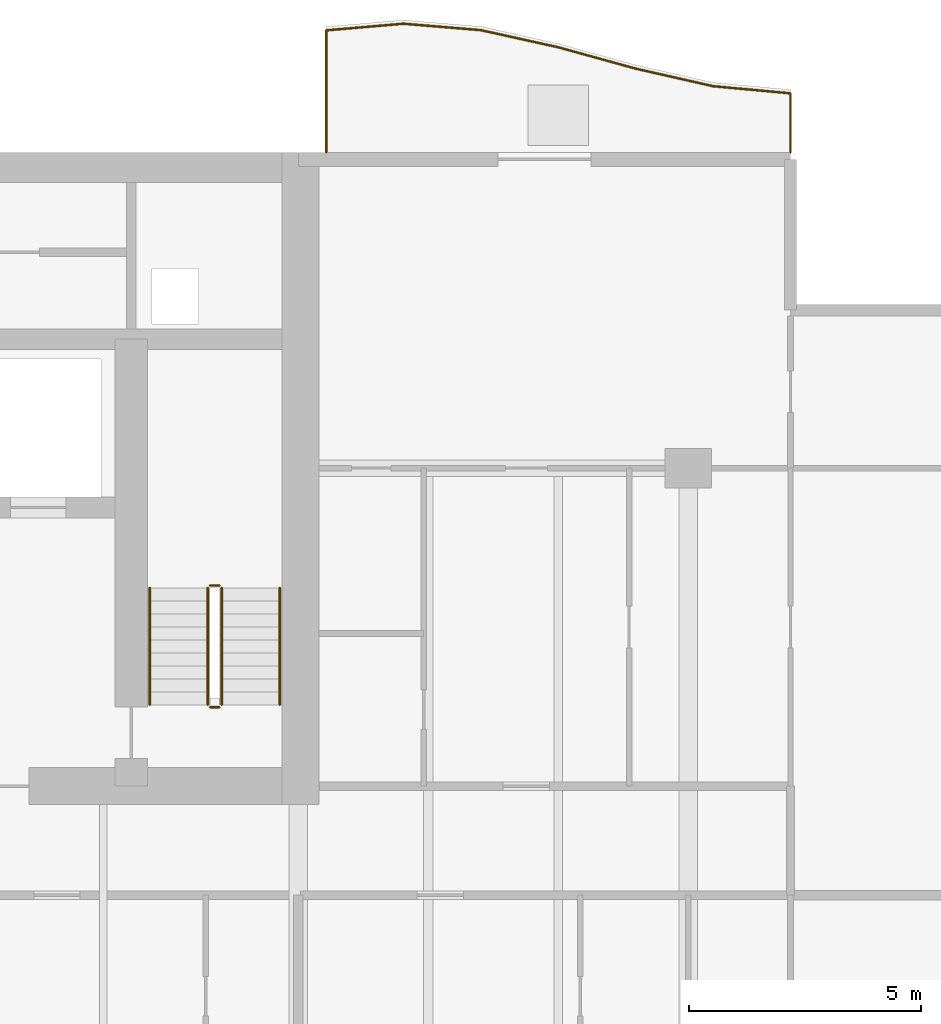
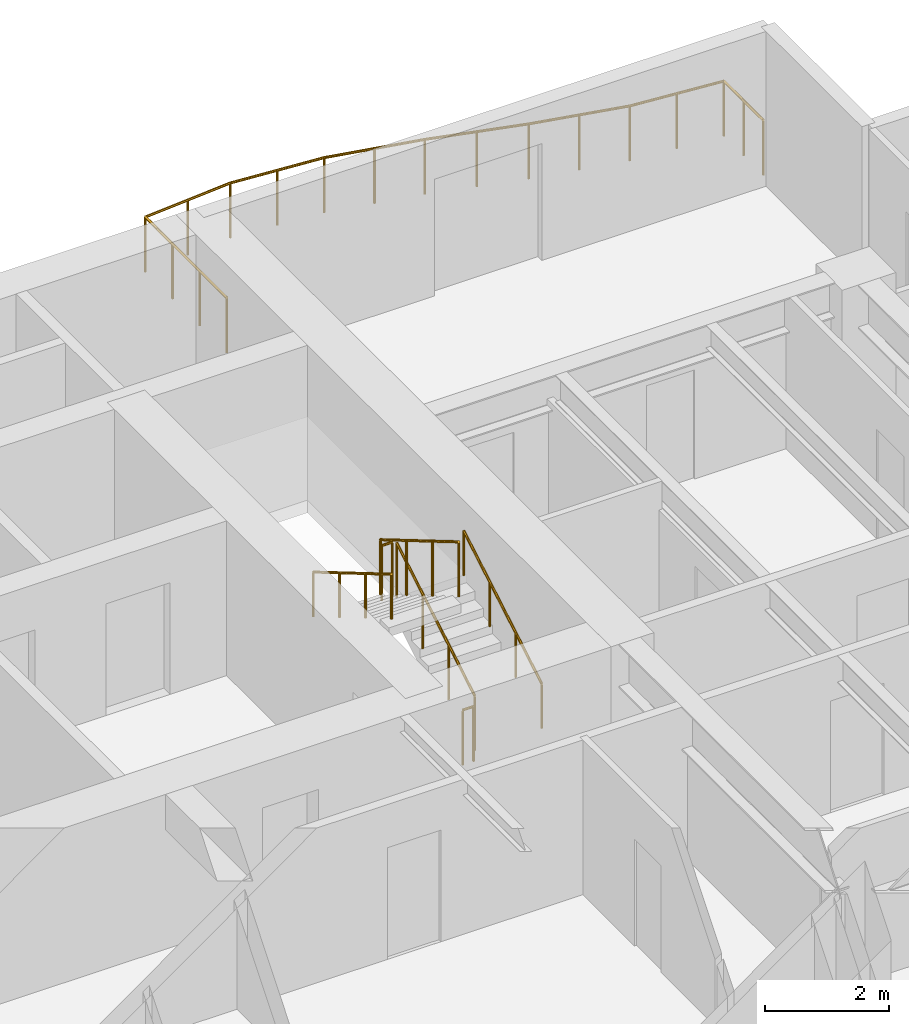
# One storey, part 16 of 17: 7 railings.
"""IFC4 building model written with IfcOpenShell, lengths in metres."""

from ifc_helpers import new_model, si_unit, direction, frame, origin, origin_2d, place, context, subcontext, project, spatial, circle, extrude, material, type_object, element, save


model = new_model("IFC4")

# Units and contexts
model_context = context("Model", 3, precision=1e-05, world=origin(), true_north=direction((0.0, 1.0)))
body_context = subcontext(model_context, "Body", "Model", "MODEL_VIEW")
ifc_project = project(units=[si_unit("LENGTHUNIT", "METRE"), si_unit("AREAUNIT", "SQUARE_METRE"), si_unit("VOLUMEUNIT", "CUBIC_METRE"), si_unit("PLANEANGLEUNIT", "RADIAN"), si_unit("MASSUNIT", "GRAM", prefix="KILO")], contexts=[model_context])

# Site, building, storey
site_placement = place(None, origin())
site = spatial("IfcSite", under=ifc_project, at=site_placement, CompositionType="ELEMENT")
building_placement = place(site_placement, origin())
building = spatial("IfcBuilding", under=site, at=building_placement, Name="Caelmar Bay Residences", CompositionType="ELEMENT")
storey_placement = place(building_placement, frame((0.0, 0.0, 105.89990234375)))
storey = spatial("IfcBuildingStorey", under=building, at=storey_placement, Name="L28", CompositionType="ELEMENT", Elevation=105.89990234375)

# Railings
ifc_material_1 = material(Name="Anodised bronze handrail with laminated hurricane glass infill", Category="glass")
railing_type_1 = type_object("IfcRailingType", Name="RL-BAL-1100", PredefinedType="BALUSTRADE", material=ifc_material_1)
railing_1_placement = place(storey_placement, frame((70.10009765625, 50.60009765625, 0.0)))
element("IfcRailing", 1, at=railing_1_placement, inside=storey, type_object=railing_type_1, Name="L28 north_east Balcony Balustrade", PredefinedType="BALUSTRADE", context=body_context, shape_type="SweptSolid", body=[
    extrude(circle(Radius=0.02392578125, at=origin_2d()), frame((0.0, 0.0, 1.076171875), z_axis=(0.0, 1.0, 0.0), x_axis=(-1.0, 0.0, 0.0)), (0.0, 0.0, 1.0), 1.270263671875),
    extrude(circle(Radius=0.02392578125, at=origin_2d()), frame((0.0, 1.270263671875, 1.076171875), z_axis=(-0.995755786783, 0.092034847145, 0.0), x_axis=(-0.092034847145, -0.995755786783, 0.0)), (0.0, 0.0, 1.0), 1.673828125),
    extrude(circle(Radius=0.02392578125, at=origin_2d()), frame((-1.666748046875, 1.42431640625, 1.076171875), z_axis=(-0.975212775078, 0.221269164874, 0.0), x_axis=(-0.221269164874, -0.975212775078, 0.0)), (0.0, 0.0, 1.0), 1.709228515625),
    extrude(circle(Radius=0.02392578125, at=origin_2d()), frame((-3.33349609375, 1.802490234375, 1.076171875), z_axis=(-0.963993866583, 0.265924472718, 0.0), x_axis=(-0.265924472718, -0.963993866583, 0.0)), (0.0, 0.0, 1.0), 1.728759765625),
    extrude(circle(Radius=0.02392578125, at=origin_2d()), frame((-5.0, 2.26220703125, 1.076171875), z_axis=(-0.97637178472, 0.216097519659, 0.0), x_axis=(-0.216097519659, -0.97637178472, 0.0)), (0.0, 0.0, 1.0), 1.70703125),
    extrude(circle(Radius=0.02392578125, at=origin_2d()), frame((-6.666748046875, 2.631103515625, 1.076171875), z_axis=(-0.996544751474, 0.083057560215, 0.0), x_axis=(-0.083057560215, -0.996544751474, 0.0)), (0.0, 0.0, 1.0), 1.672607421875),
    extrude(circle(Radius=0.02392578125, at=origin_2d()), frame((-8.33349609375, 2.77001953125, 1.076171875), z_axis=(-0.996322835752, -0.085678509315, 0.0), x_axis=(0.085678509315, -0.996322835752, 0.0)), (0.0, 0.0, 1.0), 1.672607421875),
    extrude(circle(Radius=0.02392578125, at=origin_2d()), frame((-10.0, 2.626708984375, 1.076171875), z_axis=(0.0, -1.0, 0.0), x_axis=(1.0, 0.0, 0.0)), (0.0, 0.0, 1.0), 2.626708984375),
    extrude(circle(Radius=0.02099609375, at=origin_2d()), origin(), (0.0, 0.0, 1.0), 1.052001953125),
    extrude(circle(Radius=0.02099609375, at=origin_2d()), frame((0.0, 0.63525390625, 0.0)), (0.0, 0.0, 1.0), 1.052001953125),
    extrude(circle(Radius=0.02099609375, at=origin_2d()), frame((0.0, 1.270263671875, 0.0)), (0.0, 0.0, 1.0), 1.052001953125),
    extrude(circle(Radius=0.02099609375, at=origin_2d()), frame((-0.83349609375, 1.34716796875, 0.0)), (0.0, 0.0, 1.0), 1.052001953125),
    extrude(circle(Radius=0.02099609375, at=origin_2d()), frame((-1.666748046875, 1.42431640625, 0.0)), (0.0, 0.0, 1.0), 1.052001953125),
    extrude(circle(Radius=0.02099609375, at=origin_2d()), frame((-2.5, 1.61328125, 0.0)), (0.0, 0.0, 1.0), 1.052001953125),
    extrude(circle(Radius=0.02099609375, at=origin_2d()), frame((-3.33349609375, 1.802490234375, 0.0)), (0.0, 0.0, 1.0), 1.052001953125),
    extrude(circle(Radius=0.02099609375, at=origin_2d()), frame((-4.166748046875, 2.0322265625, 0.0)), (0.0, 0.0, 1.0), 1.052001953125),
    extrude(circle(Radius=0.02099609375, at=origin_2d()), frame((-5.0, 2.26220703125, 0.0)), (0.0, 0.0, 1.0), 1.052001953125),
    extrude(circle(Radius=0.02099609375, at=origin_2d()), frame((-5.83349609375, 2.44677734375, 0.0)), (0.0, 0.0, 1.0), 1.052001953125),
    extrude(circle(Radius=0.02099609375, at=origin_2d()), frame((-6.666748046875, 2.631103515625, 0.0)), (0.0, 0.0, 1.0), 1.052001953125),
    extrude(circle(Radius=0.02099609375, at=origin_2d()), frame((-7.5, 2.70068359375, 0.0)), (0.0, 0.0, 1.0), 1.052001953125),
    extrude(circle(Radius=0.02099609375, at=origin_2d()), frame((-8.33349609375, 2.77001953125, 0.0)), (0.0, 0.0, 1.0), 1.052001953125),
    extrude(circle(Radius=0.02099609375, at=origin_2d()), frame((-9.166748046875, 2.6982421875, 0.0)), (0.0, 0.0, 1.0), 1.052001953125),
    extrude(circle(Radius=0.02099609375, at=origin_2d()), frame((-10.0, 2.626708984375, 0.0)), (0.0, 0.0, 1.0), 1.052001953125),
    extrude(circle(Radius=0.02099609375, at=origin_2d()), frame((-10.0, 1.751220703125, 0.0)), (0.0, 0.0, 1.0), 1.052001953125),
    extrude(circle(Radius=0.02099609375, at=origin_2d()), frame((-10.0, 0.87548828125, 0.0)), (0.0, 0.0, 1.0), 1.052001953125),
    extrude(circle(Radius=0.02099609375, at=origin_2d()), frame((-10.0, 0.0, 0.0)), (0.0, 0.0, 1.0), 1.052001953125),
])
ifc_material_2 = material(Name="Painted galvanized steel stair guard 1100 mm", Category="steel")
railing_type_2 = type_object("IfcRailingType", Name="RL-GRD-1100", PredefinedType="GUARDRAIL", material=ifc_material_2)
railing_2_placement = place(storey_placement, frame((57.85009765625, 38.699951171875, 0.1650390625)))
element("IfcRailing", 2, at=railing_2_placement, inside=storey, type_object=railing_type_2, Name="L28 ST2 stair guard 1", PredefinedType="GUARDRAIL", context=body_context, shape_type="SweptSolid", body=[
    extrude(circle(Radius=0.02392578125, at=origin_2d()), frame((0.0, 0.0, 1.076171875), z_axis=(0.0, 0.86152411907, 0.507716645641), x_axis=(-1.0, 0.0, 0.0)), (0.0, 0.0, 1.0), 2.925048828125),
    extrude(circle(Radius=0.02099609375, at=origin_2d()), origin(), (0.0, 0.0, 1.0), 1.052001953125),
    extrude(circle(Radius=0.02099609375, at=origin_2d()), frame((0.0, 0.840087890625, 0.4951171875)), (0.0, 0.0, 1.0), 1.052001953125),
    extrude(circle(Radius=0.02099609375, at=origin_2d()), frame((0.0, 1.679931640625, 0.989990234375)), (0.0, 0.0, 1.0), 1.052001953125),
    extrude(circle(Radius=0.02099609375, at=origin_2d()), frame((0.0, 2.52001953125, 1.485107421875)), (0.0, 0.0, 1.0), 1.052001953125),
])
railing_3_placement = place(storey_placement, frame((57.800048828125, 41.27001953125, 1.650146484375)))
element("IfcRailing", 3, at=railing_3_placement, inside=storey, type_object=railing_type_2, Name="L28 ST2 stair guard 2", PredefinedType="GUARDRAIL", context=body_context, shape_type="SweptSolid", body=[
    extrude(circle(Radius=0.02392578125, at=origin_2d()), frame((0.0, 0.0, 1.076171875), z_axis=(-1.0, 0.0, 0.0), x_axis=(0.0, -1.0, 0.0)), (0.0, 0.0, 1.0), 0.199951171875),
    extrude(circle(Radius=0.02099609375, at=origin_2d()), origin(), (0.0, 0.0, 1.0), 1.052001953125),
    extrude(circle(Radius=0.02099609375, at=origin_2d()), frame((-0.199951171875, 0.0, 0.0)), (0.0, 0.0, 1.0), 1.052001953125),
])
railing_4_placement = place(storey_placement, frame((57.550048828125, 41.219970703125, 1.815185546875)))
element("IfcRailing", 4, at=railing_4_placement, inside=storey, type_object=railing_type_2, Name="L28 ST2 stair guard 3", PredefinedType="GUARDRAIL", context=body_context, shape_type="SweptSolid", body=[
    extrude(circle(Radius=0.02392578125, at=origin_2d()), frame((0.0, 0.0, 1.076171875), z_axis=(0.0, -0.861560626758, 0.507654692109), x_axis=(1.0, 0.0, 0.0)), (0.0, 0.0, 1.0), 2.925048828125),
    extrude(circle(Radius=0.02099609375, at=origin_2d()), origin(), (0.0, 0.0, 1.0), 1.052001953125),
    extrude(circle(Radius=0.02099609375, at=origin_2d()), frame((0.0, -0.840087890625, 0.494873046875)), (0.0, 0.0, 1.0), 1.052001953125),
    extrude(circle(Radius=0.02099609375, at=origin_2d()), frame((0.0, -1.679931640625, 0.989990234375)), (0.0, 0.0, 1.0), 1.052001953125),
    extrude(circle(Radius=0.02099609375, at=origin_2d()), frame((0.0, -2.52001953125, 1.48486328125)), (0.0, 0.0, 1.0), 1.052001953125),
])
railing_5_placement = place(storey_placement, frame((57.800048828125, 38.64990234375, 0.0)))
element("IfcRailing", 5, at=railing_5_placement, inside=storey, type_object=railing_type_2, Name="L28 ST2 stair guard 4", PredefinedType="GUARDRAIL", context=body_context, shape_type="SweptSolid", body=[
    extrude(circle(Radius=0.02392578125, at=origin_2d()), frame((0.0, 0.0, 1.076171875), z_axis=(-1.0, 0.0, 0.0), x_axis=(0.0, -1.0, 0.0)), (0.0, 0.0, 1.0), 0.199951171875),
    extrude(circle(Radius=0.02099609375, at=origin_2d()), origin(), (0.0, 0.0, 1.0), 1.052001953125),
    extrude(circle(Radius=0.02099609375, at=origin_2d()), frame((-0.199951171875, 0.0, 0.0)), (0.0, 0.0, 1.0), 1.052001953125),
])
ifc_material_3 = material(Name="Brushed bronze stainless-steel tubular handrail 900 mm", Category="steel")
railing_type_3 = type_object("IfcRailingType", Name="RL-HND-900", PredefinedType="HANDRAIL", material=ifc_material_3)
railing_6_placement = place(storey_placement, frame((59.10009765625, 38.699951171875, 0.1650390625)))
element("IfcRailing", 6, at=railing_6_placement, inside=storey, type_object=railing_type_3, Name="L28 ST2 stair handrail 1", PredefinedType="HANDRAIL", context=body_context, shape_type="SweptSolid", body=[
    extrude(circle(Radius=0.02392578125, at=origin_2d()), frame((0.0, 0.0, 0.8759765625), z_axis=(0.0, 0.86152411907, 0.507716645641), x_axis=(-1.0, 0.0, 0.0)), (0.0, 0.0, 1.0), 2.925048828125),
    extrude(circle(Radius=0.02099609375, at=origin_2d()), origin(), (0.0, 0.0, 1.0), 0.851806640625),
    extrude(circle(Radius=0.02099609375, at=origin_2d()), frame((0.0, 0.840087890625, 0.4951171875)), (0.0, 0.0, 1.0), 0.851806640625),
    extrude(circle(Radius=0.02099609375, at=origin_2d()), frame((0.0, 1.679931640625, 0.989990234375)), (0.0, 0.0, 1.0), 0.851806640625),
    extrude(circle(Radius=0.02099609375, at=origin_2d()), frame((0.0, 2.52001953125, 1.485107421875)), (0.0, 0.0, 1.0), 0.851806640625),
])
railing_7_placement = place(storey_placement, frame((56.300048828125, 41.219970703125, 1.815185546875)))
element("IfcRailing", 7, at=railing_7_placement, inside=storey, type_object=railing_type_3, Name="L28 ST2 stair handrail 2", PredefinedType="HANDRAIL", context=body_context, shape_type="SweptSolid", body=[
    extrude(circle(Radius=0.02392578125, at=origin_2d()), frame((0.0, 0.0, 0.8759765625), z_axis=(0.0, -0.861560626758, 0.507654692109), x_axis=(1.0, 0.0, 0.0)), (0.0, 0.0, 1.0), 2.925048828125),
    extrude(circle(Radius=0.02099609375, at=origin_2d()), origin(), (0.0, 0.0, 1.0), 0.851806640625),
    extrude(circle(Radius=0.02099609375, at=origin_2d()), frame((0.0, -0.840087890625, 0.494873046875)), (0.0, 0.0, 1.0), 0.851806640625),
    extrude(circle(Radius=0.02099609375, at=origin_2d()), frame((0.0, -1.679931640625, 0.989990234375)), (0.0, 0.0, 1.0), 0.851806640625),
    extrude(circle(Radius=0.02099609375, at=origin_2d()), frame((0.0, -2.52001953125, 1.48486328125)), (0.0, 0.0, 1.0), 0.851806640625),
])

save(model, "model.ifc")
